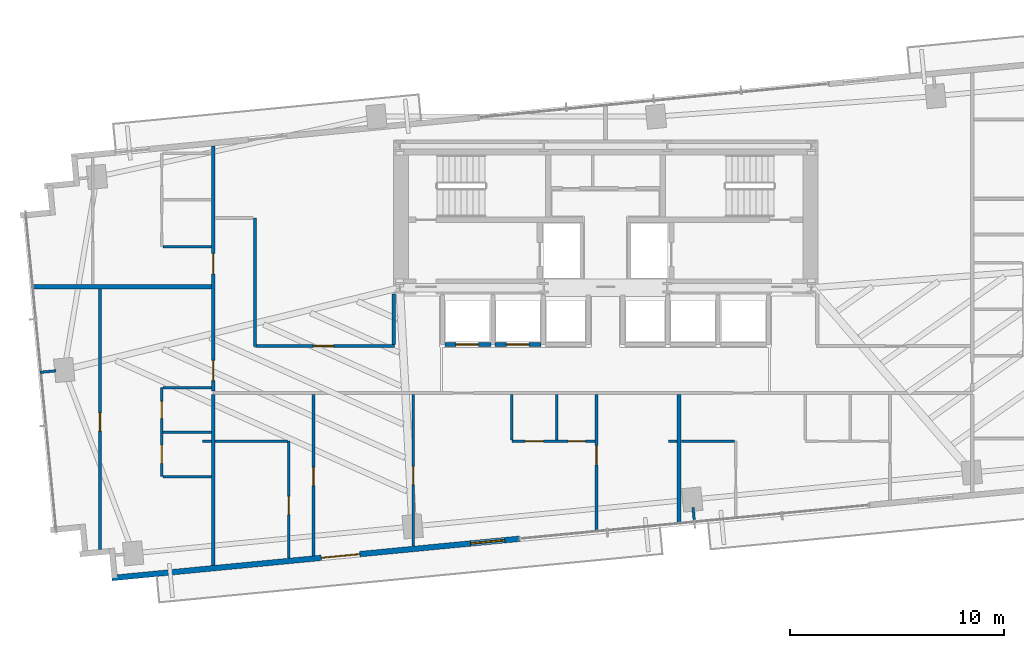
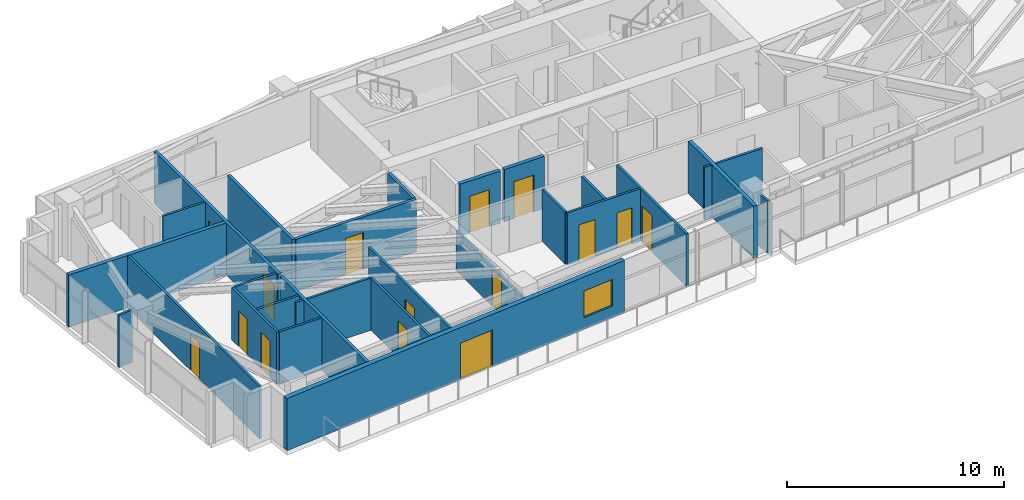
# One storey, part 21 of 27: 29 walls, 15 doors, 1 window, 16 openings.
"""IFC4 building model written with IfcOpenShell, lengths in metres."""

from ifc_helpers import new_model, si_unit, direction, frame, frame_2d, origin, place, context, subcontext, project, spatial, rectangle, extrude, source, transform, mapped, material, layer, layer_set, type_object, type_shapes, element, fill, save


model = new_model("IFC4")

# Units and contexts
model_context = context("Model", 3, precision=1e-05, world=origin(), true_north=direction((0.0, 1.0)))
body_context = subcontext(model_context, "Body", "Model", "MODEL_VIEW")
ifc_project = project(units=[si_unit("LENGTHUNIT", "METRE"), si_unit("AREAUNIT", "SQUARE_METRE"), si_unit("VOLUMEUNIT", "CUBIC_METRE"), si_unit("PLANEANGLEUNIT", "RADIAN"), si_unit("MASSUNIT", "GRAM", prefix="KILO")], contexts=[model_context])

# Site, building, storey
site_placement = place(None, origin())
site = spatial("IfcSite", under=ifc_project, at=site_placement, CompositionType="ELEMENT")
building_placement = place(site_placement, origin())
building = spatial("IfcBuilding", under=site, at=building_placement, Name="Astriad Promenade Condominiums", CompositionType="ELEMENT")
storey_placement = place(building_placement, frame((0.0, 0.0, 87.39990234375)))
storey = spatial("IfcBuildingStorey", under=building, at=storey_placement, Name="L24", CompositionType="ELEMENT", Elevation=87.39990234375)

# Wall
ifc_material_1 = material(Name="Fire-Rated Gypsum Partition")
ifc_layer_1 = layer(ifc_material_1, 0.159912109375)
ifc_layer_set_1 = layer_set([ifc_layer_1], Name="Fire-Rated Gypsum Partition")
wall_type_1 = type_object("IfcWallType", Name="WALL-CORR-160", PredefinedType="PARTITIONING", material=ifc_layer_set_1)
wall_1_placement = place(storey_placement, frame((17.699951171875, 4.44677734375, 0.0), z_axis=(0.0, 0.0, 1.0), x_axis=(0.0, 1.0, 0.0)))
element("IfcWall", 1, at=wall_1_placement, inside=storey, type_object=wall_type_1, Name="PT-COR-W-L24", PredefinedType="PARTITIONING", context=body_context, shape_type="SweptSolid", body=[
    extrude(rectangle(XDim=7.961181640625, YDim=0.159912109375, at=frame_2d((3.98046875, 0.0))), origin(), (0.0, 0.0, 1.0), 2.940185546875),
])

# Wall, openings, doors
wall_2_placement = place(storey_placement, frame((17.699951171875, 12.572021484375, 0.0), z_axis=(0.0, 0.0, 1.0), x_axis=(0.0, 1.0, 0.0)))
wall_2 = element("IfcWall", 2, at=wall_2_placement, inside=storey, type_object=wall_type_1, Name="PT-COR-W-L24-S2", PredefinedType="PARTITIONING", context=body_context, shape_type="SweptSolid", body=[
    extrude(rectangle(XDim=11.440673828125, YDim=0.159912109375, at=frame_2d((5.72021484375, 0.0))), origin(), (0.0, 0.0, 1.0), 2.940185546875),
])
opening_1_placement = place(wall_2_placement, frame((0.492919921875, 0.0, 0.0)))
opening_1 = element("IfcOpeningElement", 3, at=opening_1_placement, cuts=wall_2, Name="Opening FD60-APT-095", PredefinedType="OPENING", context=body_context, shape_type="SweptSolid", body=[
    extrude(rectangle(XDim=0.949951171875, YDim=2.06005859375, at=frame_2d((0.47509765625, 1.030029296875))), frame((0.0, 0.08984375, 0.0), z_axis=(0.0, -1.0, 0.0), x_axis=(1.0, 0.0, 0.0)), (0.0, 0.0, 1.0), 0.179931640625),
])
opening_2_placement = place(wall_2_placement, frame((5.472900390625, 0.0, 0.0)))
opening_2 = element("IfcOpeningElement", 4, at=opening_2_placement, cuts=wall_2, Name="Opening FD60-APT-095", PredefinedType="OPENING", context=body_context, shape_type="SweptSolid", body=[
    extrude(rectangle(XDim=0.949951171875, YDim=2.06005859375, at=frame_2d((0.47509765625, 1.030029296875))), frame((0.0, 0.08984375, 0.0), z_axis=(0.0, -1.0, 0.0), x_axis=(1.0, 0.0, 0.0)), (0.0, 0.0, 1.0), 0.179931640625),
])
ifc_material_2 = material(Name="Solid-Core Acoustic Timber Residence Entry Door", Category="wood")
door_type_1 = type_object("IfcDoorType", Name="FD60-APT-095", OperationType="NOTDEFINED", PredefinedType="DOOR", material=ifc_material_2)
shared_shape_1 = source(origin(), body_context, "Body", "SweptSolid", [
    extrude(rectangle(XDim=0.949951171875, YDim=2.06005859375, at=frame_2d((0.47509765625, 1.030029296875))), frame((0.0, 0.02490234375, 0.0), z_axis=(0.0, -1.0, 0.0), x_axis=(1.0, 0.0, 0.0)), (0.0, 0.0, 1.0), 0.050048828125),
])
type_shapes(door_type_1, [shared_shape_1])
door_1_placement = place(opening_1_placement, origin())
door_1 = element("IfcDoor", 5, at=door_1_placement, inside=storey, type_object=door_type_1, Name="D-ENT-L24-W1", OperationType="SINGLE_SWING_RIGHT", OverallHeight=2.06005859375, OverallWidth=0.949951171875, PredefinedType="DOOR", context=body_context, shape_type="MappedRepresentation", body=[
    mapped(shared_shape_1, transform((0.0, 0.0, 0.0), scale=1.0)),
])
fill(opening_1, door_1)
door_2_placement = place(opening_2_placement, origin())
door_2 = element("IfcDoor", 6, at=door_2_placement, inside=storey, type_object=door_type_1, Name="D-ENT-L24-W2", OperationType="SINGLE_SWING_RIGHT", OverallHeight=2.06005859375, OverallWidth=0.949951171875, PredefinedType="DOOR", context=body_context, shape_type="MappedRepresentation", body=[
    mapped(shared_shape_1, transform((0.0, 0.0, 0.0), scale=1.0)),
])
fill(opening_2, door_2)

# Wall
wall_3_placement = place(storey_placement, frame((19.64990234375, 14.659912109375, 0.0), z_axis=(0.0, 0.0, 1.0), x_axis=(0.0, 1.0, 0.0)))
element("IfcWall", 7, at=wall_3_placement, inside=storey, type_object=wall_type_1, Name="PT-WALC-E-L24", PredefinedType="PARTITIONING", context=body_context, shape_type="SweptSolid", body=[
    extrude(rectangle(XDim=5.989990234375, YDim=0.159912109375, at=frame_2d((2.9951171875, 0.0))), origin(), (0.0, 0.0, 1.0), 2.940185546875),
])

# Wall, opening, door
wall_4_placement = place(storey_placement, frame((19.73193359375, 14.679931640625, 0.0), z_axis=(0.0, 0.0, 1.0), x_axis=(1.0, 0.0, 0.0)))
wall_4 = element("IfcWall", 8, at=wall_4_placement, inside=storey, type_object=wall_type_1, Name="PT-FLK-NW-L24", PredefinedType="PARTITIONING", context=body_context, shape_type="SweptSolid", body=[
    extrude(rectangle(XDim=6.427978515625, YDim=0.159912109375, at=frame_2d((3.2138671875, 0.0))), origin(), (0.0, 0.0, 1.0), 2.940185546875),
])
opening_3_placement = place(wall_4_placement, frame((2.637939453125, 0.0, 0.0)))
opening_3 = element("IfcOpeningElement", 9, at=opening_3_placement, cuts=wall_4, Name="Opening FD60-APT-095", PredefinedType="OPENING", context=body_context, shape_type="SweptSolid", body=[
    extrude(rectangle(XDim=0.949951171875, YDim=2.06005859375, at=frame_2d((0.47509765625, 1.030029296875))), frame((0.0, 0.08984375, 0.0), z_axis=(0.0, -1.0, 0.0), x_axis=(1.0, 0.0, 0.0)), (0.0, 0.0, 1.0), 0.179931640625),
])
door_3_placement = place(opening_3_placement, origin())
door_3 = element("IfcDoor", 10, at=door_3_placement, inside=storey, type_object=door_type_1, Name="D-NWA-L24", OperationType="SINGLE_SWING_RIGHT", OverallHeight=2.06005859375, OverallWidth=0.949951171875, PredefinedType="DOOR", context=body_context, shape_type="MappedRepresentation", body=[
    mapped(shared_shape_1, transform((0.0, 0.0, 0.0), scale=1.0)),
])
fill(opening_3, door_3)

# Walls
wall_5_placement = place(storey_placement, frame((26.1201171875, 14.761962890625, 0.0), z_axis=(0.0, 0.0, 1.0), x_axis=(0.0, 1.0, 0.0)))
element("IfcWall", 11, at=wall_5_placement, inside=storey, type_object=wall_type_1, Name="PT-WSPUR-W-L24", PredefinedType="PARTITIONING", context=body_context, shape_type="SweptSolid", body=[
    extrude(rectangle(XDim=2.3359375, YDim=0.159912109375, at=frame_2d((1.16796875, 0.0))), origin(), (0.0, 0.0, 1.0), 2.940185546875),
])
ifc_material_3 = material(Name="Acoustic Double-Stud Gypsum Partition")
ifc_layer_2 = layer(ifc_material_3, 0.199951171875)
ifc_layer_set_2 = layer_set([ifc_layer_2], Name="Acoustic Double-Stud Gypsum Partition")
wall_type_2 = type_object("IfcWallType", Name="WALL-DEMISING-200", PredefinedType="PARTITIONING", material=ifc_layer_set_2)
wall_6_placement = place(storey_placement, frame((39.430908203125, 6.356201171875, 0.0), z_axis=(0.0, 0.0, 1.0), x_axis=(0.0, 1.0, 0.0)))
element("IfcWall", 12, at=wall_6_placement, inside=storey, type_object=wall_type_2, Name="PT-DEM-S1-L24", PredefinedType="PARTITIONING", context=body_context, shape_type="SweptSolid", body=[
    extrude(rectangle(XDim=6.0517578125, YDim=0.199951171875, at=frame_2d((3.02587890625, 0.0))), origin(), (0.0, 0.0, 1.0), 2.940185546875),
])
wall_7_placement = place(storey_placement, frame((9.231689453125, 17.449951171875, 0.0), z_axis=(0.0, 0.0, 1.0), x_axis=(1.0, 0.0, 0.0)))
element("IfcWall", 13, at=wall_7_placement, inside=storey, type_object=wall_type_2, Name="PT-DEM-WW-L24", PredefinedType="PARTITIONING", context=body_context, shape_type="SweptSolid", body=[
    extrude(rectangle(XDim=8.38623046875, YDim=0.199951171875, at=frame_2d((4.193115234375, 0.0))), origin(), (0.0, 0.0, 1.0), 2.940185546875),
])

# Wall, openings, door, window
ifc_material_4 = material(Name="Precast concrete C50/60", Category="concrete")
ifc_layer_3 = layer(ifc_material_4, 0.260009765625)
ifc_layer_set_3 = layer_set([ifc_layer_3], Name="Precast concrete C50/60")
wall_type_3 = type_object("IfcWallType", Name="WALL-EXT-TWR-260", PredefinedType="STANDARD", material=ifc_layer_set_3)
wall_8_placement = place(storey_placement, frame((31.99365234375, 5.6904296875, 0.0), z_axis=(0.0, 0.0, 1.0), x_axis=(-0.995396521236, -0.095842399342, 0.0)))
wall_8 = element("IfcWall", 14, at=wall_8_placement, inside=storey, type_object=wall_type_3, Name="W-EXT-L24-S2", PredefinedType="STANDARD", context=body_context, shape_type="SweptSolid", body=[
    extrude(rectangle(XDim=19.10986328125, YDim=0.260009765625, at=frame_2d((9.554931640625, 0.0))), origin(), (0.0, 0.0, 1.0), 2.940185546875),
])
opening_4_placement = place(wall_8_placement, frame((7.489990234375, 0.0, 0.0)))
opening_4 = element("IfcOpeningElement", 15, at=opening_4_placement, cuts=wall_8, Name="Opening BD-1822-SLD", PredefinedType="OPENING", context=body_context, shape_type="SweptSolid", body=[
    extrude(rectangle(XDim=1.800048828125, YDim=2.06005859375, at=frame_2d((0.89990234375, 1.030029296875))), frame((0.0, 0.139892578125, 0.0), z_axis=(0.0, -1.0, 0.0), x_axis=(1.0, 0.0, 0.0)), (0.0, 0.0, 1.0), 0.280029296875),
])
opening_5_placement = place(wall_8_placement, frame((0.699951171875, 0.0, 0.64990234375)))
opening_5 = element("IfcOpeningElement", 16, at=opening_5_placement, cuts=wall_8, Name="Opening WIN-TWR-1620", PredefinedType="OPENING", context=body_context, shape_type="SweptSolid", body=[
    extrude(rectangle(XDim=1.60009765625, YDim=1.5, at=frame_2d((0.800048828125, 0.75))), frame((0.0, 0.139892578125, 0.0), z_axis=(0.0, -1.0, 0.0), x_axis=(1.0, 0.0, 0.0)), (0.0, 0.0, 1.0), 0.280029296875),
])
ifc_material_5 = material(Name="Thermally Broken Aluminium Sliding Balcony Door", Category="aluminium")
door_type_2 = type_object("IfcDoorType", Name="BD-1822-SLD", OperationType="NOTDEFINED", PredefinedType="DOOR", material=ifc_material_5)
shared_shape_2 = source(origin(), body_context, "Body", "SweptSolid", [
    extrude(rectangle(XDim=1.800048828125, YDim=2.06005859375, at=frame_2d((0.89990234375, 1.030029296875))), frame((0.0, 0.02490234375, 0.0), z_axis=(0.0, -1.0, 0.0), x_axis=(1.0, 0.0, 0.0)), (0.0, 0.0, 1.0), 0.050048828125),
])
type_shapes(door_type_2, [shared_shape_2])
door_4_placement = place(opening_4_placement, origin())
door_4 = element("IfcDoor", 17, at=door_4_placement, inside=storey, type_object=door_type_2, Name="BD-L24-SW", OperationType="SLIDING_TO_LEFT", OverallHeight=2.06005859375, OverallWidth=1.800048828125, PredefinedType="DOOR", context=body_context, shape_type="MappedRepresentation", body=[
    mapped(shared_shape_2, transform((0.0, 0.0, 0.0), scale=1.0)),
])
fill(opening_4, door_4)
ifc_material_6 = material(Name="Dark Tinted Triple-Glazed Aluminium Window", Category="aluminium")
window_type = type_object("IfcWindowType", Name="WIN-TWR-1620", PartitioningType="SINGLE_PANEL", PredefinedType="WINDOW", material=ifc_material_6)
shared_shape_3 = source(origin(), body_context, "Body", "SweptSolid", [
    extrude(rectangle(XDim=1.60009765625, YDim=1.5, at=frame_2d((0.800048828125, 0.75))), frame((0.0, 0.030029296875, 0.0), z_axis=(0.0, -1.0, 0.0), x_axis=(1.0, 0.0, 0.0)), (0.0, 0.0, 1.0), 0.06005859375),
])
type_shapes(window_type, [shared_shape_3])
window_placement = place(opening_5_placement, origin())
window = element("IfcWindow", 18, at=window_placement, inside=storey, type_object=window_type, Name="WIN-L24-SW", OverallHeight=1.5, OverallWidth=1.60009765625, PartitioningType="SINGLE_PANEL", PredefinedType="WINDOW", context=body_context, shape_type="MappedRepresentation", body=[
    mapped(shared_shape_3, transform((0.0, 0.0, 0.0), scale=1.0)),
])
fill(opening_5, window)

# Wall, opening, door
ifc_material_7 = material(Name="Acoustic Metal-Stud Gypsum Partition")
ifc_layer_4 = layer(ifc_material_7, 0.1201171875)
ifc_layer_set_4 = layer_set([ifc_layer_4], Name="Acoustic Metal-Stud Gypsum Partition")
wall_type_4 = type_object("IfcWallType", Name="WALL-PART-120", PredefinedType="PARTITIONING", material=ifc_layer_set_4)
wall_9_placement = place(storey_placement, frame((35.5810546875, 5.985595703125, 0.0), z_axis=(0.0, 0.0, 1.0), x_axis=(0.0, 1.0, 0.0)))
wall_9 = element("IfcWall", 19, at=wall_9_placement, inside=storey, type_object=wall_type_4, Name="PT-L24-S1-BD1", PredefinedType="PARTITIONING", context=body_context, shape_type="SweptSolid", body=[
    extrude(rectangle(XDim=6.42236328125, YDim=0.1201171875, at=frame_2d((3.211181640625, 0.0))), origin(), (0.0, 0.0, 1.0), 2.940185546875),
])
opening_6_placement = place(wall_9_placement, frame((3.154296875, 0.0, 0.0)))
opening_6 = element("IfcOpeningElement", 20, at=opening_6_placement, cuts=wall_9, Name="Opening D-INT-090", PredefinedType="OPENING", context=body_context, shape_type="SweptSolid", body=[
    extrude(rectangle(XDim=0.89990234375, YDim=2.050048828125, at=frame_2d((0.449951171875, 1.02490234375))), frame((0.0, 0.070068359375, 0.0), z_axis=(0.0, -1.0, 0.0), x_axis=(1.0, 0.0, 0.0)), (0.0, 0.0, 1.0), 0.14013671875),
])
ifc_material_8 = material(Name="Painted Solid-Core Timber Bedroom Door", Category="wood")
door_type_3 = type_object("IfcDoorType", Name="D-INT-090", OperationType="NOTDEFINED", PredefinedType="DOOR", material=ifc_material_8)
shared_shape_4 = source(origin(), body_context, "Body", "SweptSolid", [
    extrude(rectangle(XDim=0.89990234375, YDim=2.050048828125, at=frame_2d((0.449951171875, 1.02490234375))), frame((0.0, 0.02490234375, 0.0), z_axis=(0.0, -1.0, 0.0), x_axis=(1.0, 0.0, 0.0)), (0.0, 0.0, 1.0), 0.050048828125),
])
type_shapes(door_type_3, [shared_shape_4])
door_5_placement = place(opening_6_placement, origin())
door_5 = element("IfcDoor", 21, at=door_5_placement, inside=storey, type_object=door_type_3, Name="D-BD1-L24-S1", OperationType="SINGLE_SWING_RIGHT", OverallHeight=2.050048828125, OverallWidth=0.89990234375, PredefinedType="DOOR", context=body_context, shape_type="MappedRepresentation", body=[
    mapped(shared_shape_4, transform((0.0, 0.0, 0.0), scale=1.0)),
])
fill(opening_6, door_5)

# Wall, openings, doors
wall_10_placement = place(storey_placement, frame((31.631103515625, 10.239990234375, 0.0), z_axis=(0.0, 0.0, 1.0), x_axis=(1.0, 0.0, 0.0)))
wall_10 = element("IfcWall", 22, at=wall_10_placement, inside=storey, type_object=wall_type_4, Name="PT-L24-S1-PS", PredefinedType="PARTITIONING", context=body_context, shape_type="SweptSolid", body=[
    extrude(rectangle(XDim=3.887939453125, YDim=0.1201171875, at=frame_2d((1.94384765625, 0.0))), origin(), (0.0, 0.0, 1.0), 2.940185546875),
])
opening_7_placement = place(wall_10_placement, frame((0.625, 0.0, 0.0)))
opening_7 = element("IfcOpeningElement", 23, at=opening_7_placement, cuts=wall_10, Name="Opening D-INT-085", PredefinedType="OPENING", context=body_context, shape_type="SweptSolid", body=[
    extrude(rectangle(XDim=0.85009765625, YDim=2.050048828125, at=frame_2d((0.425048828125, 1.02490234375))), frame((0.0, 0.070068359375, 0.0), z_axis=(0.0, -1.0, 0.0), x_axis=(1.0, 0.0, 0.0)), (0.0, 0.0, 1.0), 0.14013671875),
])
opening_8_placement = place(wall_10_placement, frame((2.625, 0.0, 0.0)))
opening_8 = element("IfcOpeningElement", 24, at=opening_8_placement, cuts=wall_10, Name="Opening D-WET-080", PredefinedType="OPENING", context=body_context, shape_type="SweptSolid", body=[
    extrude(rectangle(XDim=0.800048828125, YDim=2.02001953125, at=frame_2d((0.39990234375, 1.010009765625))), frame((0.0, 0.070068359375, 0.0), z_axis=(0.0, -1.0, 0.0), x_axis=(1.0, 0.0, 0.0)), (0.0, 0.0, 1.0), 0.14013671875),
])
ifc_material_9 = material(Name="Moisture-Resistant Timber Bathroom Door", Category="wood")
door_type_4 = type_object("IfcDoorType", Name="D-WET-080", OperationType="NOTDEFINED", PredefinedType="DOOR", material=ifc_material_9)
shared_shape_5 = source(origin(), body_context, "Body", "SweptSolid", [
    extrude(rectangle(XDim=0.800048828125, YDim=2.02001953125, at=frame_2d((0.39990234375, 1.010009765625))), frame((0.0, 0.02490234375, 0.0), z_axis=(0.0, -1.0, 0.0), x_axis=(1.0, 0.0, 0.0)), (0.0, 0.0, 1.0), 0.050048828125),
])
type_shapes(door_type_4, [shared_shape_5])
door_6_placement = place(opening_8_placement, origin())
door_6 = element("IfcDoor", 25, at=door_6_placement, inside=storey, type_object=door_type_4, Name="D-BTH-L24-S1", OperationType="SINGLE_SWING_RIGHT", OverallHeight=2.02001953125, OverallWidth=0.800048828125, PredefinedType="DOOR", context=body_context, shape_type="MappedRepresentation", body=[
    mapped(shared_shape_5, transform((0.0, 0.0, 0.0), scale=1.0)),
])
fill(opening_8, door_6)
ifc_material_10 = material(Name="Painted Solid-Core Timber Room Door", Category="wood")
door_type_5 = type_object("IfcDoorType", Name="D-INT-085", OperationType="NOTDEFINED", PredefinedType="DOOR", material=ifc_material_10)
shared_shape_6 = source(origin(), body_context, "Body", "SweptSolid", [
    extrude(rectangle(XDim=0.85009765625, YDim=2.050048828125, at=frame_2d((0.425048828125, 1.02490234375))), frame((0.0, 0.02490234375, 0.0), z_axis=(0.0, -1.0, 0.0), x_axis=(1.0, 0.0, 0.0)), (0.0, 0.0, 1.0), 0.050048828125),
])
type_shapes(door_type_5, [shared_shape_6])
door_7_placement = place(opening_7_placement, origin())
door_7 = element("IfcDoor", 26, at=door_7_placement, inside=storey, type_object=door_type_5, Name="D-KIT-L24-S1", OperationType="SINGLE_SWING_LEFT", OverallHeight=2.050048828125, OverallWidth=0.85009765625, PredefinedType="DOOR", context=body_context, shape_type="MappedRepresentation", body=[
    mapped(shared_shape_6, transform((0.0, 0.0, 0.0), scale=1.0)),
])
fill(opening_7, door_7)

# Walls
for number, where, z_axis, x_axis, name in (
    (27, (33.73095703125, 10.302001953125, 0.0), (0.0, 0.0, 1.0), (0.0, 1.0, 0.0), "PT-L24-S1-PBK"),
    (28, (31.631103515625, 10.302001953125, 0.0), (0.0, 0.0, 1.0), (0.0, 1.0, 0.0), "PT-L24-S1-PKW"),
):
    element("IfcWall", number, at=place(storey_placement, frame(where, z_axis=z_axis, x_axis=x_axis)), inside=storey, type_object=wall_type_4, Name=name, PredefinedType="PARTITIONING", context=body_context, shape_type="SweptSolid", body=[
        extrude(rectangle(XDim=2.10595703125, YDim=0.1201171875, at=frame_2d((1.052978515625, 0.0))), origin(), (0.0, 0.0, 1.0), 2.940185546875),
    ])

# Wall, opening, door
wall_11_placement = place(storey_placement, frame((21.22998046875, 4.78662109375, 0.0), z_axis=(0.0, 0.0, 1.0), x_axis=(0.0, 1.0, 0.0)))
wall_11 = element("IfcWall", 29, at=wall_11_placement, inside=storey, type_object=wall_type_4, Name="PT-L24-S1-EXV", PredefinedType="PARTITIONING", context=body_context, shape_type="SweptSolid", body=[
    extrude(rectangle(XDim=5.453369140625, YDim=0.1201171875, at=frame_2d((2.7265625, 0.0))), origin(), (0.0, 0.0, 1.0), 2.940185546875),
])
opening_9_placement = place(wall_11_placement, frame((2.034423828125, 0.0, 0.0)))
opening_9 = element("IfcOpeningElement", 30, at=opening_9_placement, cuts=wall_11, Name="Opening D-INT-085", PredefinedType="OPENING", context=body_context, shape_type="SweptSolid", body=[
    extrude(rectangle(XDim=0.85009765625, YDim=2.050048828125, at=frame_2d((0.425048828125, 1.02490234375))), frame((0.0, 0.070068359375, 0.0), z_axis=(0.0, -1.0, 0.0), x_axis=(1.0, 0.0, 0.0)), (0.0, 0.0, 1.0), 0.14013671875),
])
door_8_placement = place(opening_9_placement, origin())
door_8 = element("IfcDoor", 31, at=door_8_placement, inside=storey, type_object=door_type_5, Name="D-EX-L24-S1", OperationType="SINGLE_SWING_RIGHT", OverallHeight=2.050048828125, OverallWidth=0.85009765625, PredefinedType="DOOR", context=body_context, shape_type="MappedRepresentation", body=[
    mapped(shared_shape_6, transform((0.0, 0.0, 0.0), scale=1.0)),
])
fill(opening_9, door_8)

# Walls
wall_12_placement = place(storey_placement, frame((17.199951171875, 10.239990234375, 0.0), z_axis=(0.0, 0.0, 1.0), x_axis=(1.0, 0.0, 0.0)))
element("IfcWall", 32, at=wall_12_placement, inside=storey, type_object=wall_type_4, Name="PT-L24-S1-EXH", PredefinedType="PARTITIONING", context=body_context, shape_type="SweptSolid", body=[
    extrude(rectangle(XDim=0.41796875, YDim=0.1201171875, at=frame_2d((0.208984375, 0.0))), origin(), (0.0, 0.0, 1.0), 2.940185546875),
])
wall_13_placement = place(storey_placement, frame((17.781982421875, 10.239990234375, 0.0), z_axis=(0.0, 0.0, 1.0), x_axis=(1.0, 0.0, 0.0)))
element("IfcWall", 33, at=wall_13_placement, inside=storey, type_object=wall_type_4, Name="PT-L24-S1-EXH-S2", PredefinedType="PARTITIONING", context=body_context, shape_type="SweptSolid", body=[
    extrude(rectangle(XDim=3.385986328125, YDim=0.1201171875, at=frame_2d((1.69287109375, 0.0))), origin(), (0.0, 0.0, 1.0), 2.940185546875),
])

# Wall, opening, door
wall_14_placement = place(storey_placement, frame((22.3798828125, 4.897216796875, 0.0), z_axis=(0.0, 0.0, 1.0), x_axis=(0.0, 1.0, 0.0)))
wall_14 = element("IfcWall", 34, at=wall_14_placement, inside=storey, type_object=wall_type_4, Name="PT-L24-S1-CAP1", PredefinedType="PARTITIONING", context=body_context, shape_type="SweptSolid", body=[
    extrude(rectangle(XDim=7.5107421875, YDim=0.1201171875, at=frame_2d((3.75537109375, 0.0))), origin(), (0.0, 0.0, 1.0), 2.940185546875),
])
opening_10_placement = place(wall_14_placement, frame((3.267578125, 0.0, 0.0)))
opening_10 = element("IfcOpeningElement", 35, at=opening_10_placement, cuts=wall_14, Name="Opening D-INT-085", PredefinedType="OPENING", context=body_context, shape_type="SweptSolid", body=[
    extrude(rectangle(XDim=0.85009765625, YDim=2.050048828125, at=frame_2d((0.425048828125, 1.02490234375))), frame((0.0, 0.070068359375, 0.0), z_axis=(0.0, -1.0, 0.0), x_axis=(1.0, 0.0, 0.0)), (0.0, 0.0, 1.0), 0.14013671875),
])
door_9_placement = place(opening_10_placement, origin())
door_9 = element("IfcDoor", 36, at=door_9_placement, inside=storey, type_object=door_type_5, Name="D-CAP1-L24-S1", OperationType="SINGLE_SWING_LEFT", OverallHeight=2.050048828125, OverallWidth=0.85009765625, PredefinedType="DOOR", context=body_context, shape_type="MappedRepresentation", body=[
    mapped(shared_shape_6, transform((0.0, 0.0, 0.0), scale=1.0)),
])
fill(opening_10, door_9)

wall_15_placement = place(storey_placement, frame((27.0400390625, 5.345947265625, 0.0), z_axis=(0.0, 0.0, 1.0), x_axis=(0.0, 1.0, 0.0)))
wall_15 = element("IfcWall", 37, at=wall_15_placement, inside=storey, type_object=wall_type_4, Name="PT-L24-S1-CAP2", PredefinedType="PARTITIONING", context=body_context, shape_type="SweptSolid", body=[
    extrude(rectangle(XDim=7.06201171875, YDim=0.1201171875, at=frame_2d((3.531005859375, 0.0))), origin(), (0.0, 0.0, 1.0), 2.215576171875),
])
opening_11_placement = place(wall_15_placement, frame((2.8740234375, 0.0, 0.0)))
opening_11 = element("IfcOpeningElement", 38, at=opening_11_placement, cuts=wall_15, Name="Opening D-INT-085", PredefinedType="OPENING", context=body_context, shape_type="SweptSolid", body=[
    extrude(rectangle(XDim=0.85009765625, YDim=2.050048828125, at=frame_2d((0.425048828125, 1.02490234375))), frame((0.0, 0.070068359375, 0.0), z_axis=(0.0, -1.0, 0.0), x_axis=(1.0, 0.0, 0.0)), (0.0, 0.0, 1.0), 0.14013671875),
])
door_10_placement = place(opening_11_placement, origin())
door_10 = element("IfcDoor", 39, at=door_10_placement, inside=storey, type_object=door_type_5, Name="D-CAP2-L24-S1", OperationType="SINGLE_SWING_RIGHT", OverallHeight=2.050048828125, OverallWidth=0.85009765625, PredefinedType="DOOR", context=body_context, shape_type="MappedRepresentation", body=[
    mapped(shared_shape_6, transform((0.0, 0.0, 0.0), scale=1.0)),
])
fill(opening_11, door_10)

# Walls
wall_16_placement = place(storey_placement, frame((38.930908203125, 10.239990234375, 0.0), z_axis=(0.0, 0.0, 1.0), x_axis=(1.0, 0.0, 0.0)))
element("IfcWall", 40, at=wall_16_placement, inside=storey, type_object=wall_type_4, Name="PT-L24-S2-EXH", PredefinedType="PARTITIONING", context=body_context, shape_type="SweptSolid", body=[
    extrude(rectangle(XDim=0.398193359375, YDim=0.1201171875, at=frame_2d((0.19921875, 0.0))), origin(), (0.0, 0.0, 1.0), 2.940185546875),
])
wall_17_placement = place(storey_placement, frame((39.532958984375, 10.239990234375, 0.0), z_axis=(0.0, 0.0, 1.0), x_axis=(1.0, 0.0, 0.0)))
element("IfcWall", 41, at=wall_17_placement, inside=storey, type_object=wall_type_4, Name="PT-L24-S2-EXH-S2", PredefinedType="PARTITIONING", context=body_context, shape_type="SweptSolid", body=[
    extrude(rectangle(XDim=2.483154296875, YDim=0.1201171875, at=frame_2d((1.24169921875, 0.0))), origin(), (0.0, 0.0, 1.0), 2.940185546875),
])

# Wall, openings, doors
wall_18_placement = place(storey_placement, frame((15.300048828125, 8.590087890625, 0.0), z_axis=(0.0, 0.0, 1.0), x_axis=(0.0, 1.0, 0.0)))
wall_18 = element("IfcWall", 42, at=wall_18_placement, inside=storey, type_object=wall_type_4, Name="PT-L24-W1-PV", PredefinedType="PARTITIONING", context=body_context, shape_type="SweptSolid", body=[
    extrude(rectangle(XDim=4.14990234375, YDim=0.1201171875, at=frame_2d((2.074951171875, 0.0))), origin(), (0.0, 0.0, 1.0), 2.940185546875),
])
opening_12_placement = place(wall_18_placement, frame((0.612060546875, 0.0, 0.0)))
opening_12 = element("IfcOpeningElement", 43, at=opening_12_placement, cuts=wall_18, Name="Opening D-INT-085", PredefinedType="OPENING", context=body_context, shape_type="SweptSolid", body=[
    extrude(rectangle(XDim=0.85009765625, YDim=2.050048828125, at=frame_2d((0.425048828125, 1.02490234375))), frame((0.0, 0.070068359375, 0.0), z_axis=(0.0, -1.0, 0.0), x_axis=(1.0, 0.0, 0.0)), (0.0, 0.0, 1.0), 0.14013671875),
])
opening_13_placement = place(wall_18_placement, frame((2.712890625, 0.0, 0.0)))
opening_13 = element("IfcOpeningElement", 44, at=opening_13_placement, cuts=wall_18, Name="Opening D-WET-080", PredefinedType="OPENING", context=body_context, shape_type="SweptSolid", body=[
    extrude(rectangle(XDim=0.800048828125, YDim=2.02001953125, at=frame_2d((0.39990234375, 1.010009765625))), frame((0.0, 0.070068359375, 0.0), z_axis=(0.0, -1.0, 0.0), x_axis=(1.0, 0.0, 0.0)), (0.0, 0.0, 1.0), 0.14013671875),
])
door_11_placement = place(opening_13_placement, origin())
door_11 = element("IfcDoor", 45, at=door_11_placement, inside=storey, type_object=door_type_4, Name="D-BTH-L24-W1", OperationType="SINGLE_SWING_RIGHT", OverallHeight=2.02001953125, OverallWidth=0.800048828125, PredefinedType="DOOR", context=body_context, shape_type="MappedRepresentation", body=[
    mapped(shared_shape_5, transform((0.0, 0.0, 0.0), scale=1.0)),
])
fill(opening_13, door_11)
door_12_placement = place(opening_12_placement, origin())
door_12 = element("IfcDoor", 46, at=door_12_placement, inside=storey, type_object=door_type_5, Name="D-KIT-L24-W1", OperationType="SINGLE_SWING_LEFT", OverallHeight=2.050048828125, OverallWidth=0.85009765625, PredefinedType="DOOR", context=body_context, shape_type="MappedRepresentation", body=[
    mapped(shared_shape_6, transform((0.0, 0.0, 0.0), scale=1.0)),
])
fill(opening_12, door_12)

# Walls
for number, where, z_axis, x_axis, name in (
    (47, (15.362060546875, 10.6650390625, 0.0), (0.0, 0.0, 1.0), (1.0, 0.0, 0.0), "PT-L24-W1-PM"),
    (48, (15.362060546875, 8.590087890625, 0.0), (0.0, 0.0, 1.0), (1.0, 0.0, 0.0), "PT-L24-W1-PS"),
    (49, (15.362060546875, 12.739990234375, 0.0), (0.0, 0.0, 1.0), (1.0, 0.0, 0.0), "PT-L24-W1-PN"),
):
    element("IfcWall", number, at=place(storey_placement, frame(where, z_axis=z_axis, x_axis=x_axis)), inside=storey, type_object=wall_type_4, Name=name, PredefinedType="PARTITIONING", context=body_context, shape_type="SweptSolid", body=[
        extrude(rectangle(XDim=2.255859375, YDim=0.1201171875, at=frame_2d((1.1279296875, 0.0))), origin(), (0.0, 0.0, 1.0), 2.940185546875),
    ])

# Wall, opening, door
wall_19_placement = place(storey_placement, frame((12.4208984375, 5.194091796875, 0.0), z_axis=(0.0, 0.0, 1.0), x_axis=(0.0, 1.0, 0.0)))
wall_19 = element("IfcWall", 50, at=wall_19_placement, inside=storey, type_object=wall_type_4, Name="PT-L24-W1-B1", PredefinedType="PARTITIONING", context=body_context, shape_type="SweptSolid", body=[
    extrude(rectangle(XDim=12.15380859375, YDim=0.1201171875, at=frame_2d((6.076904296875, 0.0))), origin(), (0.0, 0.0, 1.0), 2.940185546875),
])
opening_14_placement = place(wall_19_placement, frame((5.515869140625, 0.0, 0.0)))
opening_14 = element("IfcOpeningElement", 51, at=opening_14_placement, cuts=wall_19, Name="Opening D-INT-085", PredefinedType="OPENING", context=body_context, shape_type="SweptSolid", body=[
    extrude(rectangle(XDim=0.85009765625, YDim=2.050048828125, at=frame_2d((0.425048828125, 1.02490234375))), frame((0.0, 0.070068359375, 0.0), z_axis=(0.0, -1.0, 0.0), x_axis=(1.0, 0.0, 0.0)), (0.0, 0.0, 1.0), 0.14013671875),
])
door_13_placement = place(opening_14_placement, origin())
door_13 = element("IfcDoor", 52, at=door_13_placement, inside=storey, type_object=door_type_5, Name="D-BD1-L24-W1", OperationType="SINGLE_SWING_LEFT", OverallHeight=2.050048828125, OverallWidth=0.85009765625, PredefinedType="DOOR", context=body_context, shape_type="MappedRepresentation", body=[
    mapped(shared_shape_6, transform((0.0, 0.0, 0.0), scale=1.0)),
])
fill(opening_14, door_13)

# Walls
wall_20_placement = place(storey_placement, frame((15.362060546875, 19.320068359375, 0.0), z_axis=(0.0, 0.0, 1.0), x_axis=(1.0, 0.0, 0.0)))
element("IfcWall", 53, at=wall_20_placement, inside=storey, type_object=wall_type_4, Name="PT-L24-W2-PS", PredefinedType="PARTITIONING", context=body_context, shape_type="SweptSolid", body=[
    extrude(rectangle(XDim=2.255859375, YDim=0.1201171875, at=frame_2d((1.1279296875, 0.0))), origin(), (0.0, 0.0, 1.0), 2.940185546875),
])
wall_21_placement = place(storey_placement, frame((40.081787109375, 7.142333984375, 0.0), z_axis=(0.0, 0.0, 1.0), x_axis=(0.095944965663, -0.995386640238, 0.0)))
element("IfcWall", 54, at=wall_21_placement, inside=storey, type_object=wall_type_4, Name="PT-PIL-L24-PC03-10", PredefinedType="PARTITIONING", context=body_context, shape_type="SweptSolid", body=[
    extrude(rectangle(XDim=0.72021484375, YDim=0.1201171875, at=frame_2d((0.360107421875, 0.0))), origin(), (0.0, 0.0, 1.0), 2.940185546875),
])
wall_22_placement = place(storey_placement, frame((10.373291015625, 13.5244140625, 0.0), z_axis=(0.0, 0.0, 1.0), x_axis=(-0.995377786728, -0.096036772582, 0.0)))
element("IfcWall", 55, at=wall_22_placement, inside=storey, type_object=wall_type_4, Name="PT-PIL-L24-PC11-18", PredefinedType="PARTITIONING", context=body_context, shape_type="SweptSolid", body=[
    extrude(rectangle(XDim=0.760009765625, YDim=0.1201171875, at=frame_2d((0.3798828125, 0.0))), origin(), (0.0, 0.0, 1.0), 2.940185546875),
])

# Wall, opening, door
ifc_material_11 = material(Name="Gypsum Shaftliner Assembly")
ifc_layer_5 = layer(ifc_material_11, 0.199951171875)
ifc_layer_set_5 = layer_set([ifc_layer_5], Name="Gypsum Shaftliner Assembly")
wall_type_5 = type_object("IfcWallType", Name="WALL-SHAFT-200", PredefinedType="PARTITIONING", material=ifc_layer_set_5)
wall_23_placement = place(storey_placement, frame((28.501953125, 14.75, 0.0), z_axis=(0.0, 0.0, 1.0), x_axis=(1.0, 0.0, 0.0)))
wall_23 = element("IfcWall", 56, at=wall_23_placement, inside=storey, type_object=wall_type_5, Name="PL-L-FRT-L24", PredefinedType="PARTITIONING", context=body_context, shape_type="SweptSolid", body=[
    extrude(rectangle(XDim=2.14599609375, YDim=0.199951171875, at=frame_2d((1.072998046875, 0.0))), origin(), (0.0, 0.0, 1.0), 2.940185546875),
])
opening_15_placement = place(wall_23_placement, frame((0.52294921875, 0.0, 0.0)))
opening_15 = element("IfcOpeningElement", 57, at=opening_15_placement, cuts=wall_23, Name="Opening LD-PL-10522", PredefinedType="OPENING", context=body_context, shape_type="SweptSolid", body=[
    extrude(rectangle(XDim=1.050048828125, YDim=2.080078125, at=frame_2d((0.52490234375, 1.0400390625))), frame((0.0, 0.10986328125, 0.0), z_axis=(0.0, -1.0, 0.0), x_axis=(1.0, 0.0, 0.0)), (0.0, 0.0, 1.0), 0.219970703125),
])
ifc_material_12 = material(Name="Brushed Bronze Passenger Elevator Landing Door")
door_type_6 = type_object("IfcDoorType", Name="LD-PL-10522", OperationType="NOTDEFINED", PredefinedType="DOOR", material=ifc_material_12)
shared_shape_7 = source(origin(), body_context, "Body", "SweptSolid", [
    extrude(rectangle(XDim=1.050048828125, YDim=2.080078125, at=frame_2d((0.52490234375, 1.0400390625))), frame((0.0, 0.02490234375, 0.0), z_axis=(0.0, -1.0, 0.0), x_axis=(1.0, 0.0, 0.0)), (0.0, 0.0, 1.0), 0.050048828125),
])
type_shapes(door_type_6, [shared_shape_7])
door_14_placement = place(opening_15_placement, origin())
door_14 = element("IfcDoor", 58, at=door_14_placement, inside=storey, type_object=door_type_6, Name="Elevator Landing Door PL-L1 (L24)", OperationType="SLIDING_TO_LEFT", OverallHeight=2.080078125, OverallWidth=1.050048828125, PredefinedType="DOOR", context=body_context, shape_type="MappedRepresentation", body=[
    mapped(shared_shape_7, transform((0.0, 0.0, 0.0), scale=1.0)),
])
fill(opening_15, door_14)

wall_24_placement = place(storey_placement, frame((30.85205078125, 14.75, 0.0), z_axis=(0.0, 0.0, 1.0), x_axis=(1.0, 0.0, 0.0)))
wall_24 = element("IfcWall", 59, at=wall_24_placement, inside=storey, type_object=wall_type_5, Name="PL-L-FRT-L24-S2", PredefinedType="PARTITIONING", context=body_context, shape_type="SweptSolid", body=[
    extrude(rectangle(XDim=2.14599609375, YDim=0.199951171875, at=frame_2d((1.072998046875, 0.0))), origin(), (0.0, 0.0, 1.0), 2.940185546875),
])
opening_16_placement = place(wall_24_placement, frame((0.52294921875, 0.0, 0.0)))
opening_16 = element("IfcOpeningElement", 60, at=opening_16_placement, cuts=wall_24, Name="Opening LD-PL-10522", PredefinedType="OPENING", context=body_context, shape_type="SweptSolid", body=[
    extrude(rectangle(XDim=1.050048828125, YDim=2.080078125, at=frame_2d((0.52490234375, 1.0400390625))), frame((0.0, 0.10986328125, 0.0), z_axis=(0.0, -1.0, 0.0), x_axis=(1.0, 0.0, 0.0)), (0.0, 0.0, 1.0), 0.219970703125),
])
door_15_placement = place(opening_16_placement, origin())
door_15 = element("IfcDoor", 61, at=door_15_placement, inside=storey, type_object=door_type_6, Name="Elevator Landing Door PL-L2 (L24)", OperationType="SLIDING_TO_RIGHT", OverallHeight=2.080078125, OverallWidth=1.050048828125, PredefinedType="DOOR", context=body_context, shape_type="MappedRepresentation", body=[
    mapped(shared_shape_7, transform((0.0, 0.0, 0.0), scale=1.0)),
])
fill(opening_16, door_15)

save(model, "model.ifc")
